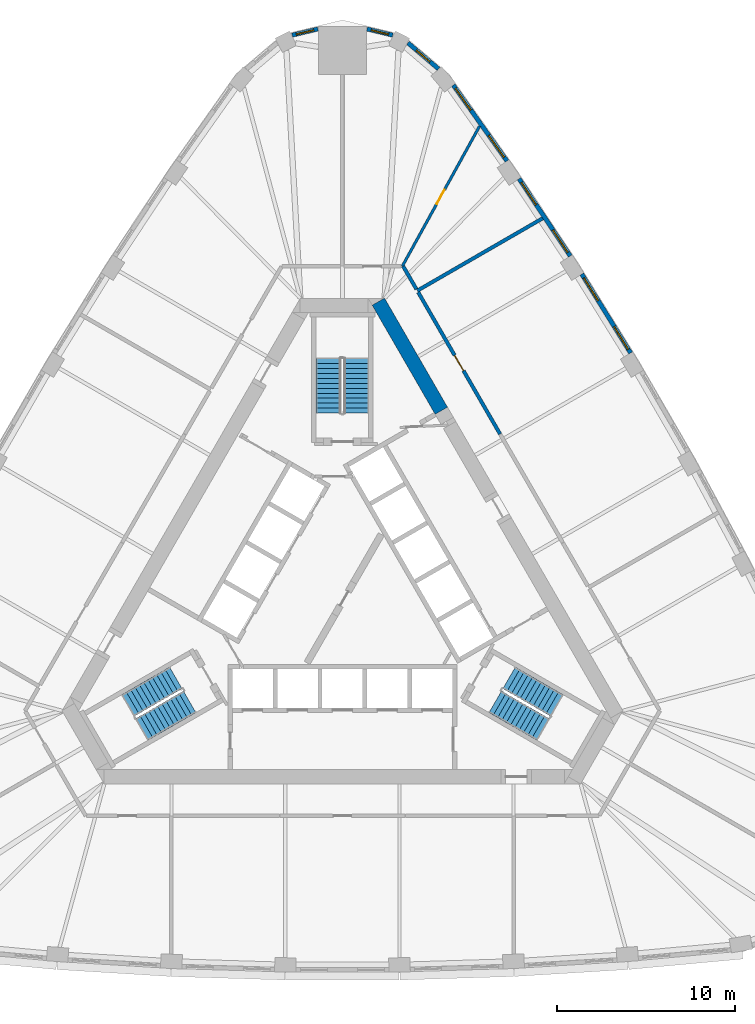
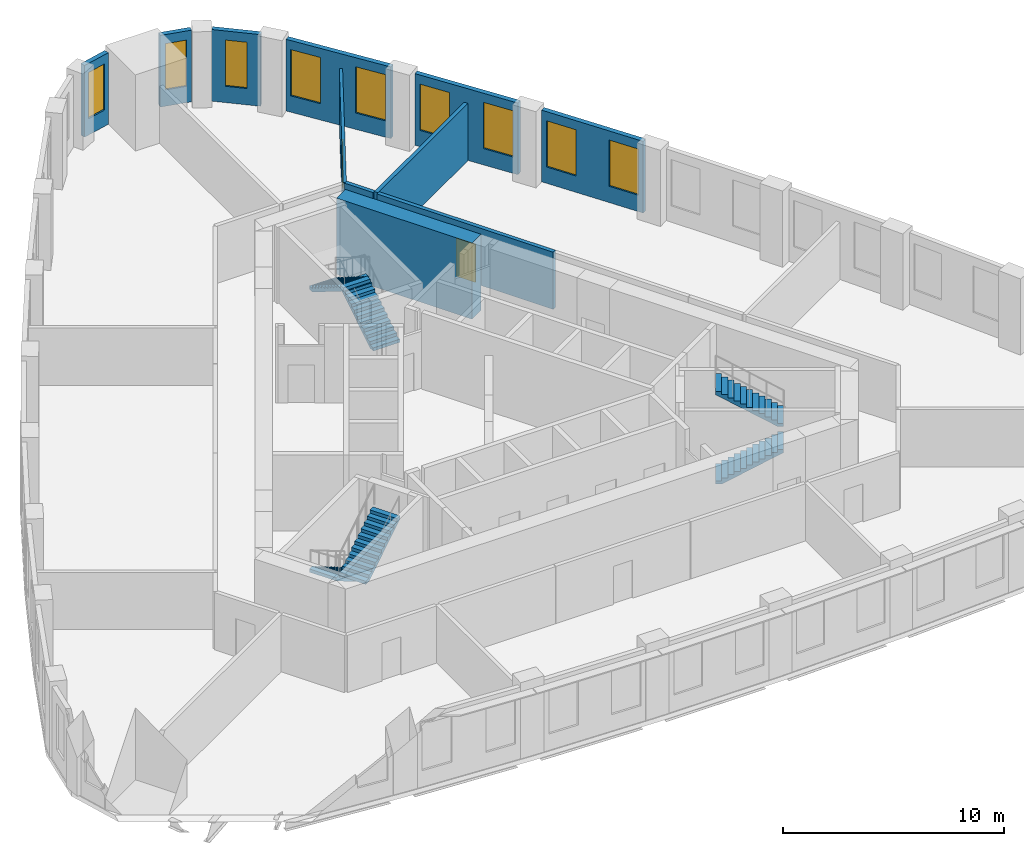
# One storey, part 8 of 9: 11 walls, 9 windows, 6 stair flights, 2 doors, 11 openings, 3 elements without a shape of their own.
"""IFC4 building model written with IfcOpenShell, lengths in metres."""

from ifc_helpers import new_model, si_unit, direction, frame, frame_2d, origin, place, context, subcontext, project, spatial, polyline, rectangle, outline, extrude, material, layer, layer_set, type_object, element, fill, aggregate, save


model = new_model("IFC4")

# Units and contexts
model_context = context("Model", 3, precision=1e-05, world=origin(), true_north=direction((0.0, 1.0)))
body_context = subcontext(model_context, "Body", "Model", "MODEL_VIEW")
ifc_project = project(units=[si_unit("LENGTHUNIT", "METRE"), si_unit("AREAUNIT", "SQUARE_METRE"), si_unit("VOLUMEUNIT", "CUBIC_METRE"), si_unit("PLANEANGLEUNIT", "RADIAN"), si_unit("MASSUNIT", "GRAM", prefix="KILO")], contexts=[model_context])

# Site, building, storey
site_placement = place(None, origin())
site = spatial("IfcSite", under=ifc_project, at=site_placement, CompositionType="ELEMENT")
building_placement = place(site_placement, origin())
building = spatial("IfcBuilding", under=site, at=building_placement, Name="Mestral Congress Tower", CompositionType="ELEMENT")
storey_placement = place(building_placement, frame((0.0, 0.0, 183.60009765625)))
storey = spatial("IfcBuildingStorey", under=building, at=storey_placement, Name="L43", CompositionType="ELEMENT", Elevation=183.60009765625)

# Wall
ifc_material_1 = material(Name="Concrete C60/75", Category="concrete")
ifc_layer_1 = layer(ifc_material_1, 0.800048828125)
ifc_layer_set_1 = layer_set([ifc_layer_1], Name="Concrete C60/75")
wall_type_1 = type_object("IfcWallType", Name="Core wall RC 800", PredefinedType="SOLIDWALL", material=ifc_layer_set_1)
wall_1_placement = place(storey_placement, frame((5.548828125, 10.4892578125, 0.0), z_axis=(0.0, 0.0, 1.0), x_axis=(-0.50001746176, 0.866015321998, 0.0)))
element("IfcWall", 1, at=wall_1_placement, inside=storey, type_object=wall_type_1, Name="L43 core wall", PredefinedType="SOLIDWALL", context=body_context, shape_type="SweptSolid", body=[
    extrude(rectangle(XDim=7.068115234375, YDim=0.800048828125, at=frame_2d((3.5341796875, 0.0))), origin(), (0.0, 0.0, 1.0), 4.199951171875),
])

# Wall, openings, windows
ifc_material_2 = material(Name="Precast concrete C40/50 with limestone facing", Category="masonry")
ifc_layer_2 = layer(ifc_material_2, 0.239990234375)
ifc_layer_set_2 = layer_set([ifc_layer_2], Name="Precast concrete C40/50 with limestone facing")
wall_type_2 = type_object("IfcWallType", Name="Facade stone wall 240", PredefinedType="SOLIDWALL", material=ifc_layer_set_2)
wall_2_placement = place(storey_placement, frame((16.170654296875, 13.731201171875, 0.0), z_axis=(0.0, 0.0, 1.0), x_axis=(-0.526197926587, 0.850362124072, 0.0)))
wall_2 = element("IfcWall", 2, at=wall_2_placement, inside=storey, type_object=wall_type_2, Name="Facade wall F1-04", PredefinedType="SOLIDWALL", context=body_context, shape_type="SweptSolid", body=[
    extrude(rectangle(XDim=5.203369140625, YDim=0.239990234375, at=frame_2d((2.6015625, 0.0))), origin(), (0.0, 0.0, 1.0), 3.949951171875),
])
opening_1_placement = place(wall_2_placement, frame((0.248291015625, 0.0, 0.89990234375)))
opening_1 = element("IfcOpeningElement", 3, at=opening_1_placement, cuts=wall_2, Name="Opening W4", PredefinedType="OPENING", context=body_context, shape_type="SweptSolid", body=[
    extrude(rectangle(XDim=1.5, YDim=2.550048828125, at=frame_2d((0.75, 1.27490234375))), frame((0.0, 0.1298828125, 0.0), z_axis=(0.0, -1.0, 0.0), x_axis=(1.0, 0.0, 0.0)), (0.0, 0.0, 1.0), 0.260009765625),
])
opening_2_placement = place(wall_2_placement, frame((3.455078125, 0.0, 0.89990234375)))
opening_2 = element("IfcOpeningElement", 4, at=opening_2_placement, cuts=wall_2, Name="Opening W4", PredefinedType="OPENING", context=body_context, shape_type="SweptSolid", body=[
    extrude(rectangle(XDim=1.5, YDim=2.550048828125, at=frame_2d((0.75, 1.27490234375))), frame((0.0, 0.1298828125, 0.0), z_axis=(0.0, -1.0, 0.0), x_axis=(1.0, 0.0, 0.0)), (0.0, 0.0, 1.0), 0.260009765625),
])
ifc_material_3 = material(Name="Clear low-emissivity double glazing", Category="glass")
window_type_1 = type_object("IfcWindowType", Name="Facade punched window 1500 x 2550 sill 900", PartitioningType="SINGLE_PANEL", PredefinedType="WINDOW", material=ifc_material_3)
window_1_placement = place(opening_1_placement, origin())
window_1 = element("IfcWindow", 5, at=window_1_placement, inside=storey, type_object=window_type_1, Name="Window F1-04a", OverallHeight=2.550048828125, OverallWidth=1.5, PartitioningType="SINGLE_PANEL", PredefinedType="WINDOW", context=body_context, shape_type="SweptSolid", body=[
    extrude(rectangle(XDim=1.5, YDim=2.550048828125, at=frame_2d((0.75, 1.27490234375))), frame((0.0, 0.0400390625, 0.0), z_axis=(0.0, -1.0, 0.0), x_axis=(1.0, 0.0, 0.0)), (0.0, 0.0, 1.0), 0.06005859375),
])
fill(opening_1, window_1)
window_2_placement = place(opening_2_placement, origin())
window_2 = element("IfcWindow", 6, at=window_2_placement, inside=storey, type_object=window_type_1, Name="Window F1-04b", OverallHeight=2.550048828125, OverallWidth=1.5, PartitioningType="SINGLE_PANEL", PredefinedType="WINDOW", context=body_context, shape_type="SweptSolid", body=[
    extrude(rectangle(XDim=1.5, YDim=2.550048828125, at=frame_2d((0.75, 1.27490234375))), frame((0.0, 0.0400390625, 0.0), z_axis=(0.0, -1.0, 0.0), x_axis=(1.0, 0.0, 0.0)), (0.0, 0.0, 1.0), 0.06005859375),
])
fill(opening_2, window_2)

wall_3_placement = place(storey_placement, frame((12.783203125, 19.170654296875, 0.0), z_axis=(0.0, 0.0, 1.0), x_axis=(-0.551892811511, 0.833915058386, 0.0)))
wall_3 = element("IfcWall", 7, at=wall_3_placement, inside=storey, type_object=wall_type_2, Name="Facade wall F1-05", PredefinedType="SOLIDWALL", context=body_context, shape_type="SweptSolid", body=[
    extrude(rectangle(XDim=5.20361328125, YDim=0.239990234375, at=frame_2d((2.601806640625, 0.0))), origin(), (0.0, 0.0, 1.0), 3.949951171875),
])
opening_3_placement = place(wall_3_placement, frame((0.248291015625, 0.0, 0.89990234375)))
opening_3 = element("IfcOpeningElement", 8, at=opening_3_placement, cuts=wall_3, Name="Opening W4", PredefinedType="OPENING", context=body_context, shape_type="SweptSolid", body=[
    extrude(rectangle(XDim=1.5, YDim=2.550048828125, at=frame_2d((0.75, 1.27490234375))), frame((0.0, 0.1298828125, 0.0), z_axis=(0.0, -1.0, 0.0), x_axis=(1.0, 0.0, 0.0)), (0.0, 0.0, 1.0), 0.260009765625),
])
opening_4_placement = place(wall_3_placement, frame((3.455078125, 0.0, 0.89990234375)))
opening_4 = element("IfcOpeningElement", 9, at=opening_4_placement, cuts=wall_3, Name="Opening W4", PredefinedType="OPENING", context=body_context, shape_type="SweptSolid", body=[
    extrude(rectangle(XDim=1.5, YDim=2.550048828125, at=frame_2d((0.75, 1.27490234375))), frame((0.0, 0.1298828125, 0.0), z_axis=(0.0, -1.0, 0.0), x_axis=(1.0, 0.0, 0.0)), (0.0, 0.0, 1.0), 0.260009765625),
])
window_3_placement = place(opening_3_placement, origin())
window_3 = element("IfcWindow", 10, at=window_3_placement, inside=storey, type_object=window_type_1, Name="Window F1-05a", OverallHeight=2.550048828125, OverallWidth=1.5, PartitioningType="SINGLE_PANEL", PredefinedType="WINDOW", context=body_context, shape_type="SweptSolid", body=[
    extrude(rectangle(XDim=1.5, YDim=2.550048828125, at=frame_2d((0.75, 1.27490234375))), frame((0.0, 0.0400390625, 0.0), z_axis=(0.0, -1.0, 0.0), x_axis=(1.0, 0.0, 0.0)), (0.0, 0.0, 1.0), 0.06005859375),
])
fill(opening_3, window_3)
window_4_placement = place(opening_4_placement, origin())
window_4 = element("IfcWindow", 11, at=window_4_placement, inside=storey, type_object=window_type_1, Name="Window F1-05b", OverallHeight=2.550048828125, OverallWidth=1.5, PartitioningType="SINGLE_PANEL", PredefinedType="WINDOW", context=body_context, shape_type="SweptSolid", body=[
    extrude(rectangle(XDim=1.5, YDim=2.550048828125, at=frame_2d((0.75, 1.27490234375))), frame((0.0, 0.0400390625, 0.0), z_axis=(0.0, -1.0, 0.0), x_axis=(1.0, 0.0, 0.0)), (0.0, 0.0, 1.0), 0.06005859375),
])
fill(opening_4, window_4)

wall_4_placement = place(storey_placement, frame((9.231201171875, 24.50439453125, 0.0), z_axis=(0.0, 0.0, 1.0), x_axis=(-0.577115207679, 0.816662743772, 0.0)))
wall_4 = element("IfcWall", 12, at=wall_4_placement, inside=storey, type_object=wall_type_2, Name="Facade wall F1-06", PredefinedType="SOLIDWALL", context=body_context, shape_type="SweptSolid", body=[
    extrude(rectangle(XDim=5.213134765625, YDim=0.239990234375, at=frame_2d((2.6064453125, 0.0))), origin(), (0.0, 0.0, 1.0), 3.949951171875),
])
opening_5_placement = place(wall_4_placement, frame((0.2607421875, 0.0, 0.89990234375)))
opening_5 = element("IfcOpeningElement", 13, at=opening_5_placement, cuts=wall_4, Name="Opening W4", PredefinedType="OPENING", context=body_context, shape_type="SweptSolid", body=[
    extrude(rectangle(XDim=1.5, YDim=2.550048828125, at=frame_2d((0.75, 1.27490234375))), frame((0.0, 0.1298828125, 0.0), z_axis=(0.0, -1.0, 0.0), x_axis=(1.0, 0.0, 0.0)), (0.0, 0.0, 1.0), 0.260009765625),
])
opening_6_placement = place(wall_4_placement, frame((3.492431640625, 0.0, 0.89990234375)))
opening_6 = element("IfcOpeningElement", 14, at=opening_6_placement, cuts=wall_4, Name="Opening W4", PredefinedType="OPENING", context=body_context, shape_type="SweptSolid", body=[
    extrude(rectangle(XDim=1.5, YDim=2.550048828125, at=frame_2d((0.75, 1.27490234375))), frame((0.0, 0.1298828125, 0.0), z_axis=(0.0, -1.0, 0.0), x_axis=(1.0, 0.0, 0.0)), (0.0, 0.0, 1.0), 0.260009765625),
])
window_5_placement = place(opening_5_placement, origin())
window_5 = element("IfcWindow", 15, at=window_5_placement, inside=storey, type_object=window_type_1, Name="Window F1-06a", OverallHeight=2.550048828125, OverallWidth=1.5, PartitioningType="SINGLE_PANEL", PredefinedType="WINDOW", context=body_context, shape_type="SweptSolid", body=[
    extrude(rectangle(XDim=1.5, YDim=2.550048828125, at=frame_2d((0.75, 1.27490234375))), frame((0.0, 0.0400390625, 0.0), z_axis=(0.0, -1.0, 0.0), x_axis=(1.0, 0.0, 0.0)), (0.0, 0.0, 1.0), 0.06005859375),
])
fill(opening_5, window_5)
window_6_placement = place(opening_6_placement, origin())
window_6 = element("IfcWindow", 16, at=window_6_placement, inside=storey, type_object=window_type_1, Name="Window F1-06b", OverallHeight=2.550048828125, OverallWidth=1.5, PartitioningType="SINGLE_PANEL", PredefinedType="WINDOW", context=body_context, shape_type="SweptSolid", body=[
    extrude(rectangle(XDim=1.5, YDim=2.550048828125, at=frame_2d((0.75, 1.27490234375))), frame((0.0, 0.0400390625, 0.0), z_axis=(0.0, -1.0, 0.0), x_axis=(1.0, 0.0, 0.0)), (0.0, 0.0, 1.0), 0.06005859375),
])
fill(opening_6, window_6)

# Wall, opening, window
wall_5_placement = place(storey_placement, frame((5.3916015625, 29.672119140625, 0.0), z_axis=(0.0, 0.0, 1.0), x_axis=(-0.761419744247, 0.648259186645, 0.0)))
wall_5 = element("IfcWall", 17, at=wall_5_placement, inside=storey, type_object=wall_type_2, Name="Facade wall K1-0", PredefinedType="SOLIDWALL", context=body_context, shape_type="SweptSolid", body=[
    extrude(rectangle(XDim=2.250244140625, YDim=0.239990234375, at=frame_2d((1.125, 0.0))), origin(), (0.0, 0.0, 1.0), 3.949951171875),
])
opening_7_placement = place(wall_5_placement, frame((0.625244140625, 0.0, 0.89990234375)))
opening_7 = element("IfcOpeningElement", 18, at=opening_7_placement, cuts=wall_5, Name="Opening W5", PredefinedType="OPENING", context=body_context, shape_type="SweptSolid", body=[
    extrude(rectangle(XDim=1.0, YDim=2.550048828125, at=frame_2d((0.5, 1.27490234375))), frame((0.0, 0.1298828125, 0.0), z_axis=(0.0, -1.0, 0.0), x_axis=(1.0, 0.0, 0.0)), (0.0, 0.0, 1.0), 0.260009765625),
])
window_type_2 = type_object("IfcWindowType", Name="Facade punched window 1000 x 2550 sill 900", PartitioningType="SINGLE_PANEL", PredefinedType="WINDOW", material=ifc_material_3)
window_7_placement = place(opening_7_placement, origin())
window_7 = element("IfcWindow", 19, at=window_7_placement, inside=storey, type_object=window_type_2, Name="Window K1-0", OverallHeight=2.550048828125, OverallWidth=1.0, PartitioningType="SINGLE_PANEL", PredefinedType="WINDOW", context=body_context, shape_type="SweptSolid", body=[
    extrude(rectangle(XDim=1.0, YDim=2.550048828125, at=frame_2d((0.5, 1.27490234375))), frame((0.0, 0.0400390625, 0.0), z_axis=(0.0, -1.0, 0.0), x_axis=(1.0, 0.0, 0.0)), (0.0, 0.0, 1.0), 0.06005859375),
])
fill(opening_7, window_7)

wall_6_placement = place(storey_placement, frame((2.821044921875, 31.56640625, 0.0), z_axis=(0.0, 0.0, 1.0), x_axis=(-0.972479955788, 0.232986556673, 0.0)))
wall_6 = element("IfcWall", 20, at=wall_6_placement, inside=storey, type_object=wall_type_2, Name="Facade wall K1-1", PredefinedType="SOLIDWALL", context=body_context, shape_type="SweptSolid", body=[
    extrude(rectangle(XDim=1.481689453125, YDim=0.239990234375, at=frame_2d((0.74072265625, 0.0))), origin(), (0.0, 0.0, 1.0), 3.949951171875),
])
opening_8_placement = place(wall_6_placement, frame((0.24072265625, 0.0, 0.89990234375)))
opening_8 = element("IfcOpeningElement", 21, at=opening_8_placement, cuts=wall_6, Name="Opening W5", PredefinedType="OPENING", context=body_context, shape_type="SweptSolid", body=[
    extrude(rectangle(XDim=1.0, YDim=2.550048828125, at=frame_2d((0.5, 1.27490234375))), frame((0.0, 0.1298828125, 0.0), z_axis=(0.0, -1.0, 0.0), x_axis=(1.0, 0.0, 0.0)), (0.0, 0.0, 1.0), 0.260009765625),
])
window_8_placement = place(opening_8_placement, origin())
window_8 = element("IfcWindow", 22, at=window_8_placement, inside=storey, type_object=window_type_2, Name="Window K1-1", OverallHeight=2.550048828125, OverallWidth=1.0, PartitioningType="SINGLE_PANEL", PredefinedType="WINDOW", context=body_context, shape_type="SweptSolid", body=[
    extrude(rectangle(XDim=1.0, YDim=2.550048828125, at=frame_2d((0.5, 1.27490234375))), frame((0.0, 0.0400390625, 0.0), z_axis=(0.0, -1.0, 0.0), x_axis=(1.0, 0.0, 0.0)), (0.0, 0.0, 1.0), 0.06005859375),
])
fill(opening_8, window_8)

wall_7_placement = place(storey_placement, frame((-1.380126953125, 31.91162109375, 0.0), z_axis=(0.0, 0.0, 1.0), x_axis=(-0.972479955788, -0.232986556673, 0.0)))
wall_7 = element("IfcWall", 23, at=wall_7_placement, inside=storey, type_object=wall_type_2, Name="Facade wall K1-2", PredefinedType="SOLIDWALL", context=body_context, shape_type="SweptSolid", body=[
    extrude(rectangle(XDim=1.481689453125, YDim=0.239990234375, at=frame_2d((0.74072265625, 0.0))), origin(), (0.0, 0.0, 1.0), 3.949951171875),
])
opening_9_placement = place(wall_7_placement, frame((0.24072265625, 0.0, 0.89990234375)))
opening_9 = element("IfcOpeningElement", 24, at=opening_9_placement, cuts=wall_7, Name="Opening W5", PredefinedType="OPENING", context=body_context, shape_type="SweptSolid", body=[
    extrude(rectangle(XDim=1.0, YDim=2.550048828125, at=frame_2d((0.5, 1.27490234375))), frame((0.0, 0.1298828125, 0.0), z_axis=(0.0, -1.0, 0.0), x_axis=(1.0, 0.0, 0.0)), (0.0, 0.0, 1.0), 0.260009765625),
])
window_9_placement = place(opening_9_placement, origin())
window_9 = element("IfcWindow", 25, at=window_9_placement, inside=storey, type_object=window_type_2, Name="Window K1-2", OverallHeight=2.550048828125, OverallWidth=1.0, PartitioningType="SINGLE_PANEL", PredefinedType="WINDOW", context=body_context, shape_type="SweptSolid", body=[
    extrude(rectangle(XDim=1.0, YDim=2.550048828125, at=frame_2d((0.5, 1.27490234375))), frame((0.0, 0.0400390625, 0.0), z_axis=(0.0, -1.0, 0.0), x_axis=(1.0, 0.0, 0.0)), (0.0, 0.0, 1.0), 0.06005859375),
])
fill(opening_9, window_9)

# Wall, opening, door
ifc_material_4 = material(Name="Plasterboard partition on steel studs", Category="steel")
ifc_layer_3 = layer(ifc_material_4, 0.14990234375)
ifc_layer_set_3 = layer_set([ifc_layer_3], Name="Plasterboard partition on steel studs")
wall_type_3 = type_object("IfcWallType", Name="Office partition 150", PredefinedType="PARTITIONING", material=ifc_layer_set_3)
wall_8_placement = place(storey_placement, frame((7.698486328125, 26.465087890625, 0.0), z_axis=(0.0, 0.0, 1.0), x_axis=(-0.482998301798, -0.875621288263, 0.0)))
wall_8 = element("IfcWall", 26, at=wall_8_placement, inside=storey, type_object=wall_type_3, Name="Partition", PredefinedType="PARTITIONING", context=body_context, shape_type="SweptSolid", body=[
    extrude(rectangle(XDim=8.982177734375, YDim=0.14990234375, at=frame_2d((4.4912109375, 0.0))), origin(), (0.0, 0.0, 1.0), 3.14990234375),
])
opening_10_placement = place(wall_8_placement, frame((4.08251953125, 0.0, 0.0)))
opening_10 = element("IfcOpeningElement", 27, at=opening_10_placement, cuts=wall_8, Name="Opening O04-005", PredefinedType="OPENING", context=body_context, shape_type="SweptSolid", body=[
    extrude(rectangle(XDim=0.89990234375, YDim=2.10009765625, at=frame_2d((0.449951171875, 1.050048828125))), frame((0.0, 0.0849609375, 0.0), z_axis=(0.0, -1.0, 0.0), x_axis=(1.0, 0.0, 0.0)), (0.0, 0.0, 1.0), 0.169921875),
])
ifc_material_5 = material(Name="Timber door set", Category="wood")
door_type_1 = type_object("IfcDoorType", Name="Office door 900x2100", OperationType="SINGLE_SWING_LEFT", PredefinedType="DOOR", material=ifc_material_5)
door_1_placement = place(opening_10_placement, origin())
door_1 = element("IfcDoor", 28, at=door_1_placement, inside=storey, type_object=door_type_1, Name="Door O04-005", OperationType="SINGLE_SWING_RIGHT", OverallHeight=2.10009765625, OverallWidth=0.89990234375, PredefinedType="DOOR", context=body_context, shape_type="SweptSolid", body=[
    extrude(rectangle(XDim=0.89990234375, YDim=2.10009765625, at=frame_2d((0.449951171875, 1.050048828125))), frame((0.0, 0.02490234375, 0.0), z_axis=(0.0, -1.0, 0.0), x_axis=(1.0, 0.0, 0.0)), (0.0, 0.0, 1.0), 0.050048828125),
])
fill(opening_10, door_1)

# Wall
ifc_material_6 = material(Name="Dense masonry wall, plastered", Category="masonry")
ifc_layer_4 = layer(ifc_material_6, 0.199951171875)
ifc_layer_set_4 = layer_set([ifc_layer_4], Name="Dense masonry wall, plastered")
wall_type_4 = type_object("IfcWallType", Name="Office tenancy wall 200", PredefinedType="PARTITIONING", material=ifc_layer_set_4)
wall_9_placement = place(storey_placement, frame((4.19970703125, 17.2255859375, 0.0), z_axis=(0.0, 0.0, 1.0), x_axis=(0.866021486214, 0.500006785369, 0.0)))
element("IfcWall", 29, at=wall_9_placement, inside=storey, type_object=wall_type_4, Name="Tenancy wall", PredefinedType="PARTITIONING", context=body_context, shape_type="SweptSolid", body=[
    extrude(rectangle(XDim=8.12646484375, YDim=0.199951171875, at=frame_2d((4.063232421875, 0.0))), origin(), (0.0, 0.0, 1.0), 3.14990234375),
])

# Wall, opening, door
wall_10_placement = place(storey_placement, frame((8.84375, 9.18212890625, 0.0), z_axis=(0.0, 0.0, 1.0), x_axis=(-0.50000000053, 0.866025403479, 0.0)))
wall_10 = element("IfcWall", 30, at=wall_10_placement, inside=storey, type_object=wall_type_4, Name="Tenancy wall", PredefinedType="PARTITIONING", context=body_context, shape_type="SweptSolid", body=[
    extrude(rectangle(XDim=9.18798828125, YDim=0.199951171875, at=frame_2d((4.593994140625, 0.0))), origin(), (0.0, 0.0, 1.0), 3.14990234375),
])
opening_11_placement = place(wall_10_placement, frame((4.10009765625, 0.0, 0.0)))
opening_11 = element("IfcOpeningElement", 31, at=opening_11_placement, cuts=wall_10, Name="Opening O04-004", PredefinedType="OPENING", context=body_context, shape_type="SweptSolid", body=[
    extrude(rectangle(XDim=1.0, YDim=2.10009765625, at=frame_2d((0.5, 1.050048828125))), frame((0.0, 0.10986328125, 0.0), z_axis=(0.0, -1.0, 0.0), x_axis=(1.0, 0.0, 0.0)), (0.0, 0.0, 1.0), 0.219970703125),
])
ifc_material_7 = material(Name="Fire-rated timber door set", Category="wood")
door_type_2 = type_object("IfcDoorType", Name="Office tenancy entrance door 1000x2100", OperationType="SINGLE_SWING_LEFT", PredefinedType="DOOR", material=ifc_material_7)
door_2_placement = place(opening_11_placement, origin())
door_2 = element("IfcDoor", 32, at=door_2_placement, inside=storey, type_object=door_type_2, Name="Door O04-004", OperationType="SINGLE_SWING_RIGHT", OverallHeight=2.10009765625, OverallWidth=1.0, PredefinedType="DOOR", context=body_context, shape_type="SweptSolid", body=[
    extrude(rectangle(XDim=1.0, YDim=2.10009765625, at=frame_2d((0.5, 1.050048828125))), frame((0.0, 0.02490234375, 0.0), z_axis=(0.0, -1.0, 0.0), x_axis=(1.0, 0.0, 0.0)), (0.0, 0.0, 1.0), 0.050048828125),
])
fill(opening_11, door_2)

# Wall
wall_11_placement = place(storey_placement, frame((4.14990234375, 17.312255859375, 0.0), z_axis=(0.0, 0.0, 1.0), x_axis=(-0.499935638681, 0.86606255962, 0.0)))
element("IfcWall", 33, at=wall_11_placement, inside=storey, type_object=wall_type_4, Name="Tenancy wall", PredefinedType="PARTITIONING", context=body_context, shape_type="SweptSolid", body=[
    extrude(rectangle(XDim=1.487060546875, YDim=0.199951171875, at=frame_2d((0.74365234375, 0.0))), origin(), (0.0, 0.0, 1.0), 3.14990234375),
])

# Stair, stair flights
stair_type = type_object("IfcStairType", Name="Exit stair 1400", PredefinedType="HALF_TURN_STAIR", material=ifc_material_1)
placement = place(storey_placement, origin())
stair_1 = element("IfcStair", 34, at=placement, inside=storey, type_object=stair_type, Name="L43 ST1", PredefinedType="HALF_TURN_STAIR")
stair_flight_type = type_object("IfcStairFlightType", Name="Exit stair flight 1400", PredefinedType="STRAIGHT", material=ifc_material_1)
stair_flight_1_placement = place(storey_placement, frame((8.575927734375, -5.84619140625, 0.0), z_axis=(0.0, 0.0, 1.0), x_axis=(0.866025403784, -0.5, 0.0)))
stair_flight_1 = element("IfcStairFlight", 35, at=stair_flight_1_placement, type_object=stair_flight_type, Name="ST1 flight 1", NumberOfRisers=12, NumberOfTreads=11, PredefinedType="STRAIGHT", RiserHeight=0.175, TreadLength=0.28, context=body_context, shape_type="SweptSolid", body=[
    extrude(outline(polyline([(0.0, 0.0), (0.0, 0.175048828125), (0.280029296875, 0.175048828125), (0.280029296875, 0.35009765625), (0.56005859375, 0.35009765625), (0.56005859375, 0.52490234375), (0.840087890625, 0.52490234375), (0.840087890625, 0.699951171875), (1.1201171875, 0.699951171875), (1.1201171875, 0.875), (1.39990234375, 0.875), (1.39990234375, 1.050048828125), (1.679931640625, 1.050048828125), (1.679931640625, 1.22509765625), (1.9599609375, 1.22509765625), (1.9599609375, 1.39990234375), (2.239990234375, 1.39990234375), (2.239990234375, 1.574951171875), (2.52001953125, 1.574951171875), (2.52001953125, 1.75), (2.800048828125, 1.75), (2.800048828125, 1.925048828125), (3.080078125, 1.925048828125), (3.080078125, 2.10009765625), (3.080078125, 1.748291015625), (0.28271484375, 0.0), (0.0, 0.0)])), frame((0.0, 0.699951171875, 0.0), z_axis=(0.0, -1.0, 0.0), x_axis=(1.0, 0.0, 0.0)), (0.0, 0.0, 1.0), 1.39990234375),
])
stair_flight_2_placement = place(storey_placement, frame((12.018310546875, -6.0439453125, 2.099853515625), z_axis=(0.0, 0.0, 1.0), x_axis=(-0.866025403784, 0.5, 0.0)))
stair_flight_2 = element("IfcStairFlight", 36, at=stair_flight_2_placement, type_object=stair_flight_type, Name="ST1 flight 2", NumberOfRisers=12, NumberOfTreads=11, PredefinedType="STRAIGHT", RiserHeight=0.175, TreadLength=0.28, context=body_context, shape_type="SweptSolid", body=[
    extrude(outline(polyline([(0.0, 0.0), (0.0, 0.175048828125), (0.280029296875, 0.175048828125), (0.280029296875, 0.35009765625), (0.56005859375, 0.35009765625), (0.56005859375, 0.52490234375), (0.840087890625, 0.52490234375), (0.840087890625, 0.699951171875), (1.1201171875, 0.699951171875), (1.1201171875, 0.875), (1.39990234375, 0.875), (1.39990234375, 1.050048828125), (1.679931640625, 1.050048828125), (1.679931640625, 1.22509765625), (1.9599609375, 1.22509765625), (1.9599609375, 1.39990234375), (2.239990234375, 1.39990234375), (2.239990234375, 1.574951171875), (2.52001953125, 1.574951171875), (2.52001953125, 1.75), (2.800048828125, 1.75), (2.800048828125, 1.925048828125), (3.080078125, 1.925048828125), (3.080078125, 2.10009765625), (3.080078125, 1.748291015625), (0.28271484375, 0.0), (0.0, 0.0)])), frame((0.0, 0.699951171875, 0.0), z_axis=(0.0, -1.0, 0.0), x_axis=(1.0, 0.0, 0.0)), (0.0, 0.0, 1.0), 1.39990234375),
])
aggregate(stair_1, [stair_flight_1, stair_flight_2])

stair_2 = element("IfcStair", 37, at=placement, inside=storey, type_object=stair_type, Name="L43 ST2", PredefinedType="HALF_TURN_STAIR")
stair_flight_3_placement = place(storey_placement, frame((0.77490234375, 10.35009765625, 0.0), z_axis=(0.0, 0.0, 1.0), x_axis=(0.0, 1.0, 0.0)))
stair_flight_3 = element("IfcStairFlight", 38, at=stair_flight_3_placement, type_object=stair_flight_type, Name="ST2 flight 1", NumberOfRisers=12, NumberOfTreads=11, PredefinedType="STRAIGHT", RiserHeight=0.175, TreadLength=0.28, context=body_context, shape_type="SweptSolid", body=[
    extrude(outline(polyline([(0.0, 0.0), (0.0, 0.175048828125), (0.280029296875, 0.175048828125), (0.280029296875, 0.35009765625), (0.56005859375, 0.35009765625), (0.56005859375, 0.52490234375), (0.840087890625, 0.52490234375), (0.840087890625, 0.699951171875), (1.1201171875, 0.699951171875), (1.1201171875, 0.875), (1.39990234375, 0.875), (1.39990234375, 1.050048828125), (1.679931640625, 1.050048828125), (1.679931640625, 1.22509765625), (1.9599609375, 1.22509765625), (1.9599609375, 1.39990234375), (2.239990234375, 1.39990234375), (2.239990234375, 1.574951171875), (2.52001953125, 1.574951171875), (2.52001953125, 1.75), (2.800048828125, 1.75), (2.800048828125, 1.925048828125), (3.080078125, 1.925048828125), (3.080078125, 2.10009765625), (3.080078125, 1.748291015625), (0.28271484375, 0.0), (0.0, 0.0)])), frame((0.0, 0.699951171875, 0.0), z_axis=(0.0, -1.0, 0.0), x_axis=(1.0, 0.0, 0.0)), (0.0, 0.0, 1.0), 1.39990234375),
])
stair_flight_4_placement = place(storey_placement, frame((-0.77490234375, 13.429931640625, 2.099853515625), z_axis=(0.0, 0.0, 1.0), x_axis=(0.0, -1.0, 0.0)))
stair_flight_4 = element("IfcStairFlight", 39, at=stair_flight_4_placement, type_object=stair_flight_type, Name="ST2 flight 2", NumberOfRisers=12, NumberOfTreads=11, PredefinedType="STRAIGHT", RiserHeight=0.175, TreadLength=0.28, context=body_context, shape_type="SweptSolid", body=[
    extrude(outline(polyline([(0.0, 0.0), (0.0, 0.175048828125), (0.280029296875, 0.175048828125), (0.280029296875, 0.35009765625), (0.56005859375, 0.35009765625), (0.56005859375, 0.52490234375), (0.840087890625, 0.52490234375), (0.840087890625, 0.699951171875), (1.1201171875, 0.699951171875), (1.1201171875, 0.875), (1.39990234375, 0.875), (1.39990234375, 1.050048828125), (1.679931640625, 1.050048828125), (1.679931640625, 1.22509765625), (1.9599609375, 1.22509765625), (1.9599609375, 1.39990234375), (2.239990234375, 1.39990234375), (2.239990234375, 1.574951171875), (2.52001953125, 1.574951171875), (2.52001953125, 1.75), (2.800048828125, 1.75), (2.800048828125, 1.925048828125), (3.080078125, 1.925048828125), (3.080078125, 2.10009765625), (3.080078125, 1.748291015625), (0.28271484375, 0.0), (0.0, 0.0)])), frame((0.0, 0.699951171875, 0.0), z_axis=(0.0, -1.0, 0.0), x_axis=(1.0, 0.0, 0.0)), (0.0, 0.0, 1.0), 1.39990234375),
])
aggregate(stair_2, [stair_flight_3, stair_flight_4])

stair_3 = element("IfcStair", 40, at=placement, inside=storey, type_object=stair_type, Name="L43 ST3", PredefinedType="HALF_TURN_STAIR")
stair_flight_5_placement = place(storey_placement, frame((-9.350830078125, -4.50390625, 0.0), z_axis=(0.0, 0.0, 1.0), x_axis=(-0.866025403784, -0.5, 0.0)))
stair_flight_5 = element("IfcStairFlight", 41, at=stair_flight_5_placement, type_object=stair_flight_type, Name="ST3 flight 1", NumberOfRisers=12, NumberOfTreads=11, PredefinedType="STRAIGHT", RiserHeight=0.175, TreadLength=0.28, context=body_context, shape_type="SweptSolid", body=[
    extrude(outline(polyline([(0.0, 0.0), (0.0, 0.175048828125), (0.280029296875, 0.175048828125), (0.280029296875, 0.35009765625), (0.56005859375, 0.35009765625), (0.56005859375, 0.52490234375), (0.840087890625, 0.52490234375), (0.840087890625, 0.699951171875), (1.1201171875, 0.699951171875), (1.1201171875, 0.875), (1.39990234375, 0.875), (1.39990234375, 1.050048828125), (1.679931640625, 1.050048828125), (1.679931640625, 1.22509765625), (1.9599609375, 1.22509765625), (1.9599609375, 1.39990234375), (2.239990234375, 1.39990234375), (2.239990234375, 1.574951171875), (2.52001953125, 1.574951171875), (2.52001953125, 1.75), (2.800048828125, 1.75), (2.800048828125, 1.925048828125), (3.080078125, 1.925048828125), (3.080078125, 2.10009765625), (3.080078125, 1.748291015625), (0.28271484375, 0.0), (0.0, 0.0)])), frame((0.0, 0.699951171875, 0.0), z_axis=(0.0, -1.0, 0.0), x_axis=(1.0, 0.0, 0.0)), (0.0, 0.0, 1.0), 1.39990234375),
])
stair_flight_6_placement = place(storey_placement, frame((-11.2431640625, -7.38623046875, 2.099853515625), z_axis=(0.0, 0.0, 1.0), x_axis=(0.866025403784, 0.5, 0.0)))
stair_flight_6 = element("IfcStairFlight", 42, at=stair_flight_6_placement, type_object=stair_flight_type, Name="ST3 flight 2", NumberOfRisers=12, NumberOfTreads=11, PredefinedType="STRAIGHT", RiserHeight=0.175, TreadLength=0.28, context=body_context, shape_type="SweptSolid", body=[
    extrude(outline(polyline([(0.0, 0.0), (0.0, 0.175048828125), (0.280029296875, 0.175048828125), (0.280029296875, 0.35009765625), (0.56005859375, 0.35009765625), (0.56005859375, 0.52490234375), (0.840087890625, 0.52490234375), (0.840087890625, 0.699951171875), (1.1201171875, 0.699951171875), (1.1201171875, 0.875), (1.39990234375, 0.875), (1.39990234375, 1.050048828125), (1.679931640625, 1.050048828125), (1.679931640625, 1.22509765625), (1.9599609375, 1.22509765625), (1.9599609375, 1.39990234375), (2.239990234375, 1.39990234375), (2.239990234375, 1.574951171875), (2.52001953125, 1.574951171875), (2.52001953125, 1.75), (2.800048828125, 1.75), (2.800048828125, 1.925048828125), (3.080078125, 1.925048828125), (3.080078125, 2.10009765625), (3.080078125, 1.748291015625), (0.28271484375, 0.0), (0.0, 0.0)])), frame((0.0, 0.699951171875, 0.0), z_axis=(0.0, -1.0, 0.0), x_axis=(1.0, 0.0, 0.0)), (0.0, 0.0, 1.0), 1.39990234375),
])
aggregate(stair_3, [stair_flight_5, stair_flight_6])

save(model, "model.ifc")
